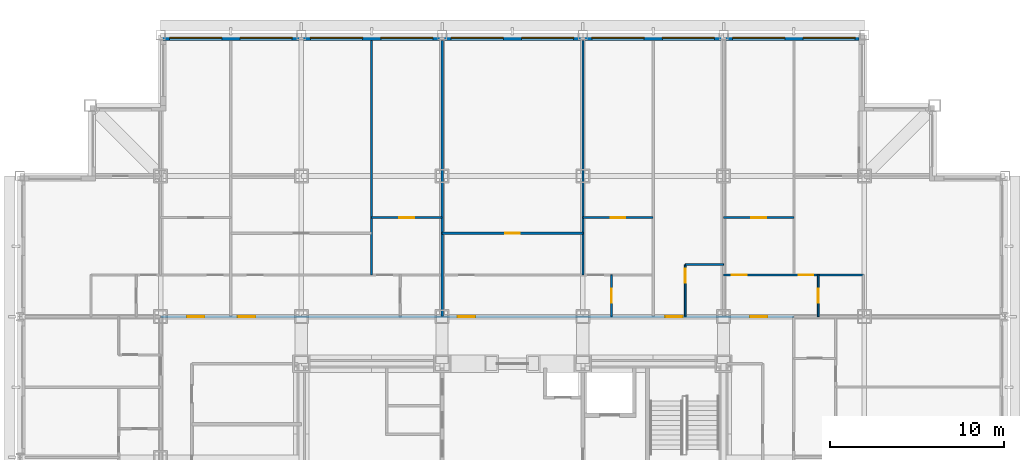
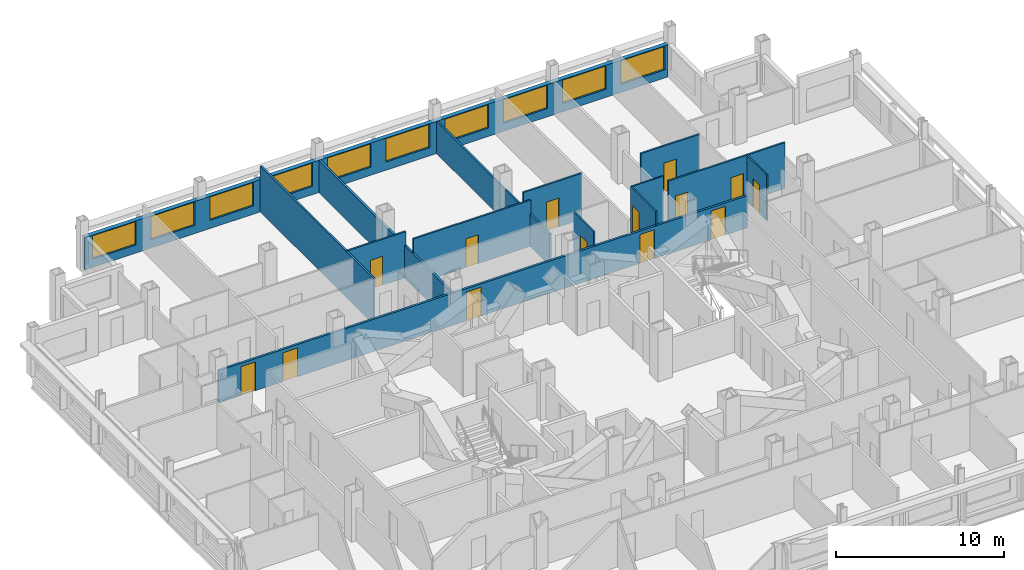
# One storey, part 10 of 12: 14 doors, 14 walls, 10 windows, 24 openings.
"""IFC4 building model written with IfcOpenShell, lengths in metres."""

from ifc_helpers import new_model, si_unit, direction, frame, frame_2d, origin, place, context, subcontext, project, spatial, rectangle, extrude, material, layer, layer_set, type_object, element, fill, save


model = new_model("IFC4")

# Units and contexts
model_context = context("Model", 3, precision=1e-05, world=origin(), true_north=direction((0.0, 1.0)))
body_context = subcontext(model_context, "Body", "Model", "MODEL_VIEW")
ifc_project = project(units=[si_unit("LENGTHUNIT", "METRE"), si_unit("AREAUNIT", "SQUARE_METRE"), si_unit("VOLUMEUNIT", "CUBIC_METRE"), si_unit("PLANEANGLEUNIT", "RADIAN"), si_unit("MASSUNIT", "GRAM", prefix="KILO")], contexts=[model_context])

# Site, building, storey
site_placement = place(None, origin())
site = spatial("IfcSite", under=ifc_project, at=site_placement, CompositionType="ELEMENT")
building_placement = place(site_placement, origin())
building = spatial("IfcBuilding", under=site, at=building_placement, Name="Kopane Lantern Tower", CompositionType="ELEMENT")
storey_placement = place(building_placement, frame((0.0, 0.0, 231.60009765625)))
storey = spatial("IfcBuildingStorey", under=building, at=storey_placement, Name="L60", CompositionType="ELEMENT", Elevation=231.60009765625)

# Walls
ifc_material_1 = material(Name="Gypsum board on steel studs", Category="steel")
ifc_layer_1 = layer(ifc_material_1, 0.1201171875)
ifc_layer_set_1 = layer_set([ifc_layer_1], Name="APARTMENT INTERNAL WALL 120")
wall_type_1 = type_object("IfcWallType", Name="APARTMENT INTERNAL WALL 120", PredefinedType="PARTITIONING", material=ifc_layer_set_1)
wall_1_placement = place(storey_placement, frame((20.25, 45.60009765625, 0.0), z_axis=(0.0, 0.0, 1.0), x_axis=(0.0, 1.0, 0.0)))
element("IfcWall", 1, at=wall_1_placement, inside=storey, type_object=wall_type_1, Name="Apartment Internal Wall 120 L60", PredefinedType="PARTITIONING", context=body_context, shape_type="SweptSolid", body=[
    extrude(rectangle(XDim=13.5, YDim=0.1201171875, at=frame_2d((6.75, 0.0))), origin(), (0.0, 0.0, 1.0), 3.349853515625),
])
wall_2_placement = place(storey_placement, frame((32.39990234375, 45.60009765625, 0.0), z_axis=(0.0, 0.0, 1.0), x_axis=(0.0, 1.0, 0.0)))
element("IfcWall", 2, at=wall_2_placement, inside=storey, type_object=wall_type_1, Name="Apartment Internal Wall 120 L60", PredefinedType="PARTITIONING", context=body_context, shape_type="SweptSolid", body=[
    extrude(rectangle(XDim=13.5, YDim=0.1201171875, at=frame_2d((6.75, 0.0))), origin(), (0.0, 0.0, 1.0), 2.349853515625),
])

# Wall, openings, doors
wall_3_placement = place(storey_placement, frame((40.5, 45.60009765625, 0.0), z_axis=(0.0, 0.0, 1.0), x_axis=(1.0, 0.0, 0.0)))
wall_3 = element("IfcWall", 3, at=wall_3_placement, inside=storey, type_object=wall_type_1, Name="Apartment Internal Wall 120 L60", PredefinedType="PARTITIONING", context=body_context, shape_type="SweptSolid", body=[
    extrude(rectangle(XDim=8.050048828125, YDim=0.1201171875, at=frame_2d((4.02490234375, 0.0))), origin(), (0.0, 0.0, 1.0), 3.349853515625),
])
opening_1_placement = place(wall_3_placement, frame((0.47509765625, 0.0, 0.0)))
opening_1 = element("IfcOpeningElement", 4, at=opening_1_placement, cuts=wall_3, Name="Opening L60-059", PredefinedType="OPENING", context=body_context, shape_type="SweptSolid", body=[
    extrude(rectangle(XDim=0.85009765625, YDim=2.10009765625, at=frame_2d((0.425048828125, 1.050048828125))), frame((0.0, 0.070068359375, 0.0), z_axis=(0.0, -1.0, 0.0), x_axis=(1.0, 0.0, 0.0)), (0.0, 0.0, 1.0), 0.14013671875),
])
opening_2_placement = place(wall_3_placement, frame((4.324951171875, 0.0, 0.0)))
opening_2 = element("IfcOpeningElement", 5, at=opening_2_placement, cuts=wall_3, Name="Opening L60-061", PredefinedType="OPENING", context=body_context, shape_type="SweptSolid", body=[
    extrude(rectangle(XDim=0.85009765625, YDim=2.10009765625, at=frame_2d((0.425048828125, 1.050048828125))), frame((0.0, 0.070068359375, 0.0), z_axis=(0.0, -1.0, 0.0), x_axis=(1.0, 0.0, 0.0)), (0.0, 0.0, 1.0), 0.14013671875),
])
ifc_material_2 = material(Name="Timber door set", Category="wood")
door_type_1 = type_object("IfcDoorType", Name="DOOR D4 850x2100", OperationType="SINGLE_SWING_LEFT", PredefinedType="DOOR", material=ifc_material_2)
door_1_placement = place(opening_1_placement, origin())
door_1 = element("IfcDoor", 6, at=door_1_placement, inside=storey, type_object=door_type_1, Name="Door L60-059", OperationType="SINGLE_SWING_RIGHT", OverallHeight=2.10009765625, OverallWidth=0.85009765625, PredefinedType="DOOR", context=body_context, shape_type="SweptSolid", body=[
    extrude(rectangle(XDim=0.85009765625, YDim=2.10009765625, at=frame_2d((0.425048828125, 1.050048828125))), frame((0.0, 0.02490234375, 0.0), z_axis=(0.0, -1.0, 0.0), x_axis=(1.0, 0.0, 0.0)), (0.0, 0.0, 1.0), 0.050048828125),
])
fill(opening_1, door_1)
door_2_placement = place(opening_2_placement, origin())
door_2 = element("IfcDoor", 7, at=door_2_placement, inside=storey, type_object=door_type_1, Name="Door L60-061", OperationType="SINGLE_SWING_LEFT", OverallHeight=2.10009765625, OverallWidth=0.85009765625, PredefinedType="DOOR", context=body_context, shape_type="SweptSolid", body=[
    extrude(rectangle(XDim=0.85009765625, YDim=2.10009765625, at=frame_2d((0.425048828125, 1.050048828125))), frame((0.0, 0.02490234375, 0.0), z_axis=(0.0, -1.0, 0.0), x_axis=(1.0, 0.0, 0.0)), (0.0, 0.0, 1.0), 0.050048828125),
])
fill(opening_2, door_2)

# Wall, opening, door
wall_4_placement = place(storey_placement, frame((20.25, 48.89990234375, 0.0), z_axis=(0.0, 0.0, 1.0), x_axis=(1.0, 0.0, 0.0)))
wall_4 = element("IfcWall", 8, at=wall_4_placement, inside=storey, type_object=wall_type_1, Name="Apartment Internal Wall 120 L60", PredefinedType="PARTITIONING", context=body_context, shape_type="SweptSolid", body=[
    extrude(rectangle(XDim=4.050048828125, YDim=0.1201171875, at=frame_2d((2.02490234375, 0.0))), origin(), (0.0, 0.0, 1.0), 3.349853515625),
])
opening_3_placement = place(wall_4_placement, frame((1.60009765625, 0.0, 0.0)))
opening_3 = element("IfcOpeningElement", 9, at=opening_3_placement, cuts=wall_4, Name="Opening L60-072", PredefinedType="OPENING", context=body_context, shape_type="SweptSolid", body=[
    extrude(rectangle(XDim=0.85009765625, YDim=2.10009765625, at=frame_2d((0.425048828125, 1.050048828125))), frame((0.0, 0.070068359375, 0.0), z_axis=(0.0, -1.0, 0.0), x_axis=(1.0, 0.0, 0.0)), (0.0, 0.0, 1.0), 0.14013671875),
])
door_3_placement = place(opening_3_placement, origin())
door_3 = element("IfcDoor", 10, at=door_3_placement, inside=storey, type_object=door_type_1, Name="Door L60-072", OperationType="SINGLE_SWING_RIGHT", OverallHeight=2.10009765625, OverallWidth=0.85009765625, PredefinedType="DOOR", context=body_context, shape_type="SweptSolid", body=[
    extrude(rectangle(XDim=0.85009765625, YDim=2.10009765625, at=frame_2d((0.425048828125, 1.050048828125))), frame((0.0, 0.02490234375, 0.0), z_axis=(0.0, -1.0, 0.0), x_axis=(1.0, 0.0, 0.0)), (0.0, 0.0, 1.0), 0.050048828125),
])
fill(opening_3, door_3)

wall_5_placement = place(storey_placement, frame((24.300048828125, 48.0, 0.0), z_axis=(0.0, 0.0, 1.0), x_axis=(1.0, 0.0, 0.0)))
wall_5 = element("IfcWall", 11, at=wall_5_placement, inside=storey, type_object=wall_type_1, Name="Apartment Internal Wall 120 L60", PredefinedType="PARTITIONING", context=body_context, shape_type="SweptSolid", body=[
    extrude(rectangle(XDim=8.099853515625, YDim=0.1201171875, at=frame_2d((4.0498046875, 0.0))), origin(), (0.0, 0.0, 1.0), 3.349853515625),
])
opening_4_placement = place(wall_5_placement, frame((3.625, 0.0, 0.0)))
opening_4 = element("IfcOpeningElement", 12, at=opening_4_placement, cuts=wall_5, Name="Opening L60-073", PredefinedType="OPENING", context=body_context, shape_type="SweptSolid", body=[
    extrude(rectangle(XDim=0.85009765625, YDim=2.10009765625, at=frame_2d((0.425048828125, 1.050048828125))), frame((0.0, 0.070068359375, 0.0), z_axis=(0.0, -1.0, 0.0), x_axis=(1.0, 0.0, 0.0)), (0.0, 0.0, 1.0), 0.14013671875),
])
door_4_placement = place(opening_4_placement, origin())
door_4 = element("IfcDoor", 13, at=door_4_placement, inside=storey, type_object=door_type_1, Name="Door L60-073", OperationType="SINGLE_SWING_RIGHT", OverallHeight=2.10009765625, OverallWidth=0.85009765625, PredefinedType="DOOR", context=body_context, shape_type="SweptSolid", body=[
    extrude(rectangle(XDim=0.85009765625, YDim=2.10009765625, at=frame_2d((0.425048828125, 1.050048828125))), frame((0.0, 0.02490234375, 0.0), z_axis=(0.0, -1.0, 0.0), x_axis=(1.0, 0.0, 0.0)), (0.0, 0.0, 1.0), 0.050048828125),
])
fill(opening_4, door_4)

wall_6_placement = place(storey_placement, frame((32.39990234375, 48.89990234375, 0.0), z_axis=(0.0, 0.0, 1.0), x_axis=(1.0, 0.0, 0.0)))
wall_6 = element("IfcWall", 14, at=wall_6_placement, inside=storey, type_object=wall_type_1, Name="Apartment Internal Wall 120 L60", PredefinedType="PARTITIONING", context=body_context, shape_type="SweptSolid", body=[
    extrude(rectangle(XDim=4.050048828125, YDim=0.1201171875, at=frame_2d((2.02490234375, 0.0))), origin(), (0.0, 0.0, 1.0), 3.349853515625),
])
opening_5_placement = place(wall_6_placement, frame((1.60009765625, 0.0, 0.0)))
opening_5 = element("IfcOpeningElement", 15, at=opening_5_placement, cuts=wall_6, Name="Opening L60-074", PredefinedType="OPENING", context=body_context, shape_type="SweptSolid", body=[
    extrude(rectangle(XDim=0.85009765625, YDim=2.10009765625, at=frame_2d((0.425048828125, 1.050048828125))), frame((0.0, 0.070068359375, 0.0), z_axis=(0.0, -1.0, 0.0), x_axis=(1.0, 0.0, 0.0)), (0.0, 0.0, 1.0), 0.14013671875),
])
door_5_placement = place(opening_5_placement, origin())
door_5 = element("IfcDoor", 16, at=door_5_placement, inside=storey, type_object=door_type_1, Name="Door L60-074", OperationType="SINGLE_SWING_RIGHT", OverallHeight=2.10009765625, OverallWidth=0.85009765625, PredefinedType="DOOR", context=body_context, shape_type="SweptSolid", body=[
    extrude(rectangle(XDim=0.85009765625, YDim=2.10009765625, at=frame_2d((0.425048828125, 1.050048828125))), frame((0.0, 0.02490234375, 0.0), z_axis=(0.0, -1.0, 0.0), x_axis=(1.0, 0.0, 0.0)), (0.0, 0.0, 1.0), 0.050048828125),
])
fill(opening_5, door_5)

wall_7_placement = place(storey_placement, frame((40.5, 48.89990234375, 0.0), z_axis=(0.0, 0.0, 1.0), x_axis=(1.0, 0.0, 0.0)))
wall_7 = element("IfcWall", 17, at=wall_7_placement, inside=storey, type_object=wall_type_1, Name="Apartment Internal Wall 120 L60", PredefinedType="PARTITIONING", context=body_context, shape_type="SweptSolid", body=[
    extrude(rectangle(XDim=4.050048828125, YDim=0.1201171875, at=frame_2d((2.02490234375, 0.0))), origin(), (0.0, 0.0, 1.0), 3.349853515625),
])
opening_6_placement = place(wall_7_placement, frame((1.60009765625, 0.0, 0.0)))
opening_6 = element("IfcOpeningElement", 18, at=opening_6_placement, cuts=wall_7, Name="Opening L60-075", PredefinedType="OPENING", context=body_context, shape_type="SweptSolid", body=[
    extrude(rectangle(XDim=0.85009765625, YDim=2.10009765625, at=frame_2d((0.425048828125, 1.050048828125))), frame((0.0, 0.070068359375, 0.0), z_axis=(0.0, -1.0, 0.0), x_axis=(1.0, 0.0, 0.0)), (0.0, 0.0, 1.0), 0.14013671875),
])
door_6_placement = place(opening_6_placement, origin())
door_6 = element("IfcDoor", 19, at=door_6_placement, inside=storey, type_object=door_type_1, Name="Door L60-075", OperationType="SINGLE_SWING_RIGHT", OverallHeight=2.10009765625, OverallWidth=0.85009765625, PredefinedType="DOOR", context=body_context, shape_type="SweptSolid", body=[
    extrude(rectangle(XDim=0.85009765625, YDim=2.10009765625, at=frame_2d((0.425048828125, 1.050048828125))), frame((0.0, 0.02490234375, 0.0), z_axis=(0.0, -1.0, 0.0), x_axis=(1.0, 0.0, 0.0)), (0.0, 0.0, 1.0), 0.050048828125),
])
fill(opening_6, door_6)

ifc_material_3 = material(Name="Moisture-resistant board on steel studs", Category="steel")
ifc_layer_2 = layer(ifc_material_3, 0.10009765625)
ifc_layer_set_2 = layer_set([ifc_layer_2], Name="BATHROOM WALL 100")
wall_type_2 = type_object("IfcWallType", Name="BATHROOM WALL 100", PredefinedType="PARTITIONING", material=ifc_layer_set_2)
wall_8_placement = place(storey_placement, frame((34.050048828125, 43.199951171875, 0.0), z_axis=(0.0, 0.0, 1.0), x_axis=(0.0, 1.0, 0.0)))
wall_8 = element("IfcWall", 20, at=wall_8_placement, inside=storey, type_object=wall_type_2, Name="Bathroom Wall 100 L60", PredefinedType="PARTITIONING", context=body_context, shape_type="SweptSolid", body=[
    extrude(rectangle(XDim=2.400146484375, YDim=0.10009765625, at=frame_2d((1.2001953125, 0.0))), origin(), (0.0, 0.0, 1.0), 3.349853515625),
])
opening_7_placement = place(wall_8_placement, frame((0.800048828125, 0.0, 0.0)))
opening_7 = element("IfcOpeningElement", 21, at=opening_7_placement, cuts=wall_8, Name="Opening L60-026", PredefinedType="OPENING", context=body_context, shape_type="SweptSolid", body=[
    extrude(rectangle(XDim=0.800048828125, YDim=2.10009765625, at=frame_2d((0.39990234375, 1.050048828125))), frame((0.0, 0.06005859375, 0.0), z_axis=(0.0, -1.0, 0.0), x_axis=(1.0, 0.0, 0.0)), (0.0, 0.0, 1.0), 0.1201171875),
])
ifc_material_4 = material(Name="Timber door set", Category="wood")
door_type_2 = type_object("IfcDoorType", Name="DOOR D2 800x2100", OperationType="SINGLE_SWING_LEFT", PredefinedType="DOOR", material=ifc_material_4)
door_7_placement = place(opening_7_placement, origin())
door_7 = element("IfcDoor", 22, at=door_7_placement, inside=storey, type_object=door_type_2, Name="Door L60-026", OperationType="SINGLE_SWING_RIGHT", OverallHeight=2.10009765625, OverallWidth=0.800048828125, PredefinedType="DOOR", context=body_context, shape_type="SweptSolid", body=[
    extrude(rectangle(XDim=0.800048828125, YDim=2.10009765625, at=frame_2d((0.39990234375, 1.050048828125))), frame((0.0, 0.02490234375, 0.0), z_axis=(0.0, -1.0, 0.0), x_axis=(1.0, 0.0, 0.0)), (0.0, 0.0, 1.0), 0.050048828125),
])
fill(opening_7, door_7)

# Wall
wall_9_placement = place(storey_placement, frame((38.300048828125, 46.199951171875, 0.0), z_axis=(0.0, 0.0, 1.0), x_axis=(1.0, 0.0, 0.0)))
element("IfcWall", 23, at=wall_9_placement, inside=storey, type_object=wall_type_2, Name="Bathroom Wall 100 L60", PredefinedType="PARTITIONING", context=body_context, shape_type="SweptSolid", body=[
    extrude(rectangle(XDim=2.199951171875, YDim=0.10009765625, at=frame_2d((1.10009765625, 0.0))), origin(), (0.0, 0.0, 1.0), 3.349853515625),
])

# Wall, opening, door
wall_10_placement = place(storey_placement, frame((38.300048828125, 43.199951171875, 0.0), z_axis=(0.0, 0.0, 1.0), x_axis=(0.0, 1.0, 0.0)))
wall_10 = element("IfcWall", 24, at=wall_10_placement, inside=storey, type_object=wall_type_2, Name="Bathroom Wall 100 L60", PredefinedType="PARTITIONING", context=body_context, shape_type="SweptSolid", body=[
    extrude(rectangle(XDim=3.0, YDim=0.10009765625, at=frame_2d((1.5, 0.0))), origin(), (0.0, 0.0, 1.0), 3.349853515625),
])
opening_8_placement = place(wall_10_placement, frame((1.949951171875, 0.0, 0.0)))
opening_8 = element("IfcOpeningElement", 25, at=opening_8_placement, cuts=wall_10, Name="Opening L60-030", PredefinedType="OPENING", context=body_context, shape_type="SweptSolid", body=[
    extrude(rectangle(XDim=0.800048828125, YDim=2.10009765625, at=frame_2d((0.39990234375, 1.050048828125))), frame((0.0, 0.06005859375, 0.0), z_axis=(0.0, -1.0, 0.0), x_axis=(1.0, 0.0, 0.0)), (0.0, 0.0, 1.0), 0.1201171875),
])
door_8_placement = place(opening_8_placement, origin())
door_8 = element("IfcDoor", 26, at=door_8_placement, inside=storey, type_object=door_type_2, Name="Door L60-030", OperationType="SINGLE_SWING_LEFT", OverallHeight=2.10009765625, OverallWidth=0.800048828125, PredefinedType="DOOR", context=body_context, shape_type="SweptSolid", body=[
    extrude(rectangle(XDim=0.800048828125, YDim=2.10009765625, at=frame_2d((0.39990234375, 1.050048828125))), frame((0.0, 0.02490234375, 0.0), z_axis=(0.0, -1.0, 0.0), x_axis=(1.0, 0.0, 0.0)), (0.0, 0.0, 1.0), 0.050048828125),
])
fill(opening_8, door_8)

wall_11_placement = place(storey_placement, frame((45.949951171875, 43.199951171875, 0.0), z_axis=(0.0, 0.0, 1.0), x_axis=(0.0, 1.0, 0.0)))
wall_11 = element("IfcWall", 27, at=wall_11_placement, inside=storey, type_object=wall_type_2, Name="Bathroom Wall 100 L60", PredefinedType="PARTITIONING", context=body_context, shape_type="SweptSolid", body=[
    extrude(rectangle(XDim=2.400146484375, YDim=0.10009765625, at=frame_2d((1.2001953125, 0.0))), origin(), (0.0, 0.0, 1.0), 3.349853515625),
])
opening_9_placement = place(wall_11_placement, frame((0.800048828125, 0.0, 0.0)))
opening_9 = element("IfcOpeningElement", 28, at=opening_9_placement, cuts=wall_11, Name="Opening L60-060", PredefinedType="OPENING", context=body_context, shape_type="SweptSolid", body=[
    extrude(rectangle(XDim=0.800048828125, YDim=2.10009765625, at=frame_2d((0.39990234375, 1.050048828125))), frame((0.0, 0.06005859375, 0.0), z_axis=(0.0, -1.0, 0.0), x_axis=(1.0, 0.0, 0.0)), (0.0, 0.0, 1.0), 0.1201171875),
])
door_9_placement = place(opening_9_placement, origin())
door_9 = element("IfcDoor", 29, at=door_9_placement, inside=storey, type_object=door_type_2, Name="Door L60-060", OperationType="SINGLE_SWING_RIGHT", OverallHeight=2.10009765625, OverallWidth=0.800048828125, PredefinedType="DOOR", context=body_context, shape_type="SweptSolid", body=[
    extrude(rectangle(XDim=0.800048828125, YDim=2.10009765625, at=frame_2d((0.39990234375, 1.050048828125))), frame((0.0, 0.02490234375, 0.0), z_axis=(0.0, -1.0, 0.0), x_axis=(1.0, 0.0, 0.0)), (0.0, 0.0, 1.0), 0.050048828125),
])
fill(opening_9, door_9)

# Wall, openings, doors
ifc_material_5 = material(Name="Gypsum board on steel studs", Category="steel")
ifc_layer_3 = layer(ifc_material_5, 0.14990234375)
ifc_layer_set_3 = layer_set([ifc_layer_3], Name="CORRIDOR WALL 150 EI 60")
wall_type_3 = type_object("IfcWallType", Name="CORRIDOR WALL 150 EI 60", PredefinedType="PARTITIONING", material=ifc_layer_set_3)
wall_12_placement = place(storey_placement, frame((8.10009765625, 43.199951171875, 0.0), z_axis=(0.0, 0.0, 1.0), x_axis=(1.0, 0.0, 0.0)))
wall_12 = element("IfcWall", 30, at=wall_12_placement, inside=storey, type_object=wall_type_3, Name="Corridor Wall 150 Ei 60 L60", PredefinedType="PARTITIONING", context=body_context, shape_type="SweptSolid", body=[
    extrude(rectangle(XDim=36.449951171875, YDim=0.14990234375, at=frame_2d((18.22509765625, 0.0))), origin(), (0.0, 0.0, 1.0), 2.349853515625),
])
opening_10_placement = place(wall_12_placement, frame((4.449951171875, 0.0, 0.0)))
opening_10 = element("IfcOpeningElement", 31, at=opening_10_placement, cuts=wall_12, Name="Opening L60-023", PredefinedType="OPENING", context=body_context, shape_type="SweptSolid", body=[
    extrude(rectangle(XDim=1.0, YDim=2.10009765625, at=frame_2d((0.5, 1.050048828125))), frame((0.0, 0.0849609375, 0.0), z_axis=(0.0, -1.0, 0.0), x_axis=(1.0, 0.0, 0.0)), (0.0, 0.0, 1.0), 0.169921875),
])
opening_11_placement = place(wall_12_placement, frame((17.10009765625, 0.0, 0.0)))
opening_11 = element("IfcOpeningElement", 32, at=opening_11_placement, cuts=wall_12, Name="Opening L60-027", PredefinedType="OPENING", context=body_context, shape_type="SweptSolid", body=[
    extrude(rectangle(XDim=1.0, YDim=2.10009765625, at=frame_2d((0.5, 1.050048828125))), frame((0.0, 0.0849609375, 0.0), z_axis=(0.0, -1.0, 0.0), x_axis=(1.0, 0.0, 0.0)), (0.0, 0.0, 1.0), 0.169921875),
])
opening_12_placement = place(wall_12_placement, frame((29.050048828125, 0.0, 0.0)))
opening_12 = element("IfcOpeningElement", 33, at=opening_12_placement, cuts=wall_12, Name="Opening L60-031", PredefinedType="OPENING", context=body_context, shape_type="SweptSolid", body=[
    extrude(rectangle(XDim=1.0, YDim=2.10009765625, at=frame_2d((0.5, 1.050048828125))), frame((0.0, 0.0849609375, 0.0), z_axis=(0.0, -1.0, 0.0), x_axis=(1.0, 0.0, 0.0)), (0.0, 0.0, 1.0), 0.169921875),
])
opening_13_placement = place(wall_12_placement, frame((33.925048828125, 0.0, 0.0)))
opening_13 = element("IfcOpeningElement", 34, at=opening_13_placement, cuts=wall_12, Name="Opening L60-058", PredefinedType="OPENING", context=body_context, shape_type="SweptSolid", body=[
    extrude(rectangle(XDim=1.0, YDim=2.10009765625, at=frame_2d((0.5, 1.050048828125))), frame((0.0, 0.0849609375, 0.0), z_axis=(0.0, -1.0, 0.0), x_axis=(1.0, 0.0, 0.0)), (0.0, 0.0, 1.0), 0.169921875),
])
opening_14_placement = place(wall_12_placement, frame((1.52490234375, 0.0, 0.0)))
opening_14 = element("IfcOpeningElement", 35, at=opening_14_placement, cuts=wall_12, Name="Opening L60-063", PredefinedType="OPENING", context=body_context, shape_type="SweptSolid", body=[
    extrude(rectangle(XDim=1.0, YDim=2.10009765625, at=frame_2d((0.5, 1.050048828125))), frame((0.0, 0.0849609375, 0.0), z_axis=(0.0, -1.0, 0.0), x_axis=(1.0, 0.0, 0.0)), (0.0, 0.0, 1.0), 0.169921875),
])
ifc_material_6 = material(Name="Steel door set", Category="steel")
door_type_3 = type_object("IfcDoorType", Name="DOOR D3 1000x2100 FD30S", OperationType="SINGLE_SWING_LEFT", PredefinedType="DOOR", material=ifc_material_6)
door_10_placement = place(opening_10_placement, origin())
door_10 = element("IfcDoor", 36, at=door_10_placement, inside=storey, type_object=door_type_3, Name="Door L60-023", OperationType="SINGLE_SWING_LEFT", OverallHeight=2.10009765625, OverallWidth=1.0, PredefinedType="DOOR", context=body_context, shape_type="SweptSolid", body=[
    extrude(rectangle(XDim=1.0, YDim=2.10009765625, at=frame_2d((0.5, 1.050048828125))), frame((0.0, 0.02490234375, 0.0), z_axis=(0.0, -1.0, 0.0), x_axis=(1.0, 0.0, 0.0)), (0.0, 0.0, 1.0), 0.050048828125),
])
fill(opening_10, door_10)
door_11_placement = place(opening_11_placement, origin())
door_11 = element("IfcDoor", 37, at=door_11_placement, inside=storey, type_object=door_type_3, Name="Door L60-027", OperationType="SINGLE_SWING_LEFT", OverallHeight=2.10009765625, OverallWidth=1.0, PredefinedType="DOOR", context=body_context, shape_type="SweptSolid", body=[
    extrude(rectangle(XDim=1.0, YDim=2.10009765625, at=frame_2d((0.5, 1.050048828125))), frame((0.0, 0.02490234375, 0.0), z_axis=(0.0, -1.0, 0.0), x_axis=(1.0, 0.0, 0.0)), (0.0, 0.0, 1.0), 0.050048828125),
])
fill(opening_11, door_11)
door_12_placement = place(opening_12_placement, origin())
door_12 = element("IfcDoor", 38, at=door_12_placement, inside=storey, type_object=door_type_3, Name="Door L60-031", OperationType="SINGLE_SWING_RIGHT", OverallHeight=2.10009765625, OverallWidth=1.0, PredefinedType="DOOR", context=body_context, shape_type="SweptSolid", body=[
    extrude(rectangle(XDim=1.0, YDim=2.10009765625, at=frame_2d((0.5, 1.050048828125))), frame((0.0, 0.02490234375, 0.0), z_axis=(0.0, -1.0, 0.0), x_axis=(1.0, 0.0, 0.0)), (0.0, 0.0, 1.0), 0.050048828125),
])
fill(opening_12, door_12)
door_13_placement = place(opening_13_placement, origin())
door_13 = element("IfcDoor", 39, at=door_13_placement, inside=storey, type_object=door_type_3, Name="Door L60-058", OperationType="SINGLE_SWING_LEFT", OverallHeight=2.10009765625, OverallWidth=1.0, PredefinedType="DOOR", context=body_context, shape_type="SweptSolid", body=[
    extrude(rectangle(XDim=1.0, YDim=2.10009765625, at=frame_2d((0.5, 1.050048828125))), frame((0.0, 0.02490234375, 0.0), z_axis=(0.0, -1.0, 0.0), x_axis=(1.0, 0.0, 0.0)), (0.0, 0.0, 1.0), 0.050048828125),
])
fill(opening_13, door_13)
door_14_placement = place(opening_14_placement, origin())
door_14 = element("IfcDoor", 40, at=door_14_placement, inside=storey, type_object=door_type_3, Name="Door L60-063", OperationType="SINGLE_SWING_RIGHT", OverallHeight=2.10009765625, OverallWidth=1.0, PredefinedType="DOOR", context=body_context, shape_type="SweptSolid", body=[
    extrude(rectangle(XDim=1.0, YDim=2.10009765625, at=frame_2d((0.5, 1.050048828125))), frame((0.0, 0.02490234375, 0.0), z_axis=(0.0, -1.0, 0.0), x_axis=(1.0, 0.0, 0.0)), (0.0, 0.0, 1.0), 0.050048828125),
])
fill(opening_14, door_14)

# Wall
ifc_material_7 = material(Name="Gypsum board on steel studs", Category="steel")
ifc_layer_4 = layer(ifc_material_7, 0.14990234375)
ifc_layer_set_4 = layer_set([ifc_layer_4], Name="DEMISING WALL 150 EI 60")
wall_type_4 = type_object("IfcWallType", Name="DEMISING WALL 150 EI 60", PredefinedType="PARTITIONING", material=ifc_layer_set_4)
wall_13_placement = place(storey_placement, frame((24.300048828125, 43.199951171875, 0.0), z_axis=(0.0, 0.0, 1.0), x_axis=(0.0, 1.0, 0.0)))
element("IfcWall", 41, at=wall_13_placement, inside=storey, type_object=wall_type_4, Name="Demising Wall 150 Ei 60 L60", PredefinedType="PARTITIONING", context=body_context, shape_type="SweptSolid", body=[
    extrude(rectangle(XDim=15.900146484375, YDim=0.14990234375, at=frame_2d((7.9501953125, 0.0))), origin(), (0.0, 0.0, 1.0), 2.349853515625),
])

# Wall, openings, windows
ifc_material_8 = material(Name="Terracotta rainscreen on light steel framing", Category="masonry")
ifc_layer_5 = layer(ifc_material_8, 0.300048828125)
ifc_layer_set_5 = layer_set([ifc_layer_5], Name="EXTERNAL WALL EW1 300 TERRACOTTA")
wall_type_5 = type_object("IfcWallType", Name="EXTERNAL WALL EW1 300 TERRACOTTA", PredefinedType="SOLIDWALL", material=ifc_layer_set_5)
wall_14_placement = place(storey_placement, frame((48.300048828125, 59.25, 0.0), z_axis=(0.0, 0.0, 1.0), x_axis=(-1.0, 0.0, 0.0)))
wall_14 = element("IfcWall", 42, at=wall_14_placement, inside=storey, type_object=wall_type_5, Name="External wall N L60", PredefinedType="SOLIDWALL", context=body_context, shape_type="SweptSolid", body=[
    extrude(rectangle(XDim=40.199951171875, YDim=0.300048828125, at=frame_2d((20.10009765625, 0.0))), origin(), (0.0, 0.0, 1.0), 2.349853515625),
])
opening_15_placement = place(wall_14_placement, frame((0.22509765625, 0.0, 0.60009765625)))
opening_15 = element("IfcOpeningElement", 43, at=opening_15_placement, cuts=wall_14, Name="Opening WR300170", PredefinedType="OPENING", context=body_context, shape_type="SweptSolid", body=[
    extrude(rectangle(XDim=3.0, YDim=1.699951171875, at=frame_2d((1.5, 0.85009765625))), frame((0.0, 0.159912109375, 0.0), z_axis=(0.0, -1.0, 0.0), x_axis=(1.0, 0.0, 0.0)), (0.0, 0.0, 1.0), 0.320068359375),
])
opening_16_placement = place(wall_14_placement, frame((4.27490234375, 0.0, 0.60009765625)))
opening_16 = element("IfcOpeningElement", 44, at=opening_16_placement, cuts=wall_14, Name="Opening WR300170", PredefinedType="OPENING", context=body_context, shape_type="SweptSolid", body=[
    extrude(rectangle(XDim=3.0, YDim=1.699951171875, at=frame_2d((1.5, 0.85009765625))), frame((0.0, 0.159912109375, 0.0), z_axis=(0.0, -1.0, 0.0), x_axis=(1.0, 0.0, 0.0)), (0.0, 0.0, 1.0), 0.320068359375),
])
opening_17_placement = place(wall_14_placement, frame((8.324951171875, 0.0, 0.60009765625)))
opening_17 = element("IfcOpeningElement", 45, at=opening_17_placement, cuts=wall_14, Name="Opening WR300170", PredefinedType="OPENING", context=body_context, shape_type="SweptSolid", body=[
    extrude(rectangle(XDim=3.0, YDim=1.699951171875, at=frame_2d((1.5, 0.85009765625))), frame((0.0, 0.159912109375, 0.0), z_axis=(0.0, -1.0, 0.0), x_axis=(1.0, 0.0, 0.0)), (0.0, 0.0, 1.0), 0.320068359375),
])
opening_18_placement = place(wall_14_placement, frame((12.375, 0.0, 0.60009765625)))
opening_18 = element("IfcOpeningElement", 46, at=opening_18_placement, cuts=wall_14, Name="Opening WR300170", PredefinedType="OPENING", context=body_context, shape_type="SweptSolid", body=[
    extrude(rectangle(XDim=3.0, YDim=1.699951171875, at=frame_2d((1.5, 0.85009765625))), frame((0.0, 0.159912109375, 0.0), z_axis=(0.0, -1.0, 0.0), x_axis=(1.0, 0.0, 0.0)), (0.0, 0.0, 1.0), 0.320068359375),
])
opening_19_placement = place(wall_14_placement, frame((16.425048828125, 0.0, 0.60009765625)))
opening_19 = element("IfcOpeningElement", 47, at=opening_19_placement, cuts=wall_14, Name="Opening WR300170", PredefinedType="OPENING", context=body_context, shape_type="SweptSolid", body=[
    extrude(rectangle(XDim=3.0, YDim=1.699951171875, at=frame_2d((1.5, 0.85009765625))), frame((0.0, 0.159912109375, 0.0), z_axis=(0.0, -1.0, 0.0), x_axis=(1.0, 0.0, 0.0)), (0.0, 0.0, 1.0), 0.320068359375),
])
opening_20_placement = place(wall_14_placement, frame((20.47509765625, 0.0, 0.60009765625)))
opening_20 = element("IfcOpeningElement", 48, at=opening_20_placement, cuts=wall_14, Name="Opening WR300170", PredefinedType="OPENING", context=body_context, shape_type="SweptSolid", body=[
    extrude(rectangle(XDim=3.0, YDim=1.699951171875, at=frame_2d((1.5, 0.85009765625))), frame((0.0, 0.159912109375, 0.0), z_axis=(0.0, -1.0, 0.0), x_axis=(1.0, 0.0, 0.0)), (0.0, 0.0, 1.0), 0.320068359375),
])
opening_21_placement = place(wall_14_placement, frame((24.52490234375, 0.0, 0.60009765625)))
opening_21 = element("IfcOpeningElement", 49, at=opening_21_placement, cuts=wall_14, Name="Opening WR300170", PredefinedType="OPENING", context=body_context, shape_type="SweptSolid", body=[
    extrude(rectangle(XDim=3.0, YDim=1.699951171875, at=frame_2d((1.5, 0.85009765625))), frame((0.0, 0.159912109375, 0.0), z_axis=(0.0, -1.0, 0.0), x_axis=(1.0, 0.0, 0.0)), (0.0, 0.0, 1.0), 0.320068359375),
])
opening_22_placement = place(wall_14_placement, frame((28.574951171875, 0.0, 0.60009765625)))
opening_22 = element("IfcOpeningElement", 50, at=opening_22_placement, cuts=wall_14, Name="Opening WR300170", PredefinedType="OPENING", context=body_context, shape_type="SweptSolid", body=[
    extrude(rectangle(XDim=3.0, YDim=1.699951171875, at=frame_2d((1.5, 0.85009765625))), frame((0.0, 0.159912109375, 0.0), z_axis=(0.0, -1.0, 0.0), x_axis=(1.0, 0.0, 0.0)), (0.0, 0.0, 1.0), 0.320068359375),
])
opening_23_placement = place(wall_14_placement, frame((32.625, 0.0, 0.60009765625)))
opening_23 = element("IfcOpeningElement", 51, at=opening_23_placement, cuts=wall_14, Name="Opening WR300170", PredefinedType="OPENING", context=body_context, shape_type="SweptSolid", body=[
    extrude(rectangle(XDim=3.0, YDim=1.699951171875, at=frame_2d((1.5, 0.85009765625))), frame((0.0, 0.159912109375, 0.0), z_axis=(0.0, -1.0, 0.0), x_axis=(1.0, 0.0, 0.0)), (0.0, 0.0, 1.0), 0.320068359375),
])
opening_24_placement = place(wall_14_placement, frame((36.675048828125, 0.0, 0.60009765625)))
opening_24 = element("IfcOpeningElement", 52, at=opening_24_placement, cuts=wall_14, Name="Opening WR300170", PredefinedType="OPENING", context=body_context, shape_type="SweptSolid", body=[
    extrude(rectangle(XDim=3.0, YDim=1.699951171875, at=frame_2d((1.5, 0.85009765625))), frame((0.0, 0.159912109375, 0.0), z_axis=(0.0, -1.0, 0.0), x_axis=(1.0, 0.0, 0.0)), (0.0, 0.0, 1.0), 0.320068359375),
])
ifc_material_9 = material(Name="Aluminium and clear glass", Category="aluminium")
window_type = type_object("IfcWindowType", Name="RIBBON WINDOW WR300170 3000x1700", PartitioningType="SINGLE_PANEL", PredefinedType="WINDOW", material=ifc_material_9)
window_1_placement = place(opening_15_placement, origin())
window_1 = element("IfcWindow", 53, at=window_1_placement, inside=storey, type_object=window_type, Name="Window N L60", OverallHeight=1.699951171875, OverallWidth=3.0, PartitioningType="SINGLE_PANEL", PredefinedType="WINDOW", context=body_context, shape_type="SweptSolid", body=[
    extrude(rectangle(XDim=3.0, YDim=1.699951171875, at=frame_2d((1.5, 0.85009765625))), frame((0.0, 0.030029296875, 0.0), z_axis=(0.0, -1.0, 0.0), x_axis=(1.0, 0.0, 0.0)), (0.0, 0.0, 1.0), 0.06005859375),
])
fill(opening_15, window_1)
window_2_placement = place(opening_16_placement, origin())
window_2 = element("IfcWindow", 54, at=window_2_placement, inside=storey, type_object=window_type, Name="Window N L60", OverallHeight=1.699951171875, OverallWidth=3.0, PartitioningType="SINGLE_PANEL", PredefinedType="WINDOW", context=body_context, shape_type="SweptSolid", body=[
    extrude(rectangle(XDim=3.0, YDim=1.699951171875, at=frame_2d((1.5, 0.85009765625))), frame((0.0, 0.030029296875, 0.0), z_axis=(0.0, -1.0, 0.0), x_axis=(1.0, 0.0, 0.0)), (0.0, 0.0, 1.0), 0.06005859375),
])
fill(opening_16, window_2)
window_3_placement = place(opening_17_placement, origin())
window_3 = element("IfcWindow", 55, at=window_3_placement, inside=storey, type_object=window_type, Name="Window N L60", OverallHeight=1.699951171875, OverallWidth=3.0, PartitioningType="SINGLE_PANEL", PredefinedType="WINDOW", context=body_context, shape_type="SweptSolid", body=[
    extrude(rectangle(XDim=3.0, YDim=1.699951171875, at=frame_2d((1.5, 0.85009765625))), frame((0.0, 0.030029296875, 0.0), z_axis=(0.0, -1.0, 0.0), x_axis=(1.0, 0.0, 0.0)), (0.0, 0.0, 1.0), 0.06005859375),
])
fill(opening_17, window_3)
window_4_placement = place(opening_18_placement, origin())
window_4 = element("IfcWindow", 56, at=window_4_placement, inside=storey, type_object=window_type, Name="Window N L60", OverallHeight=1.699951171875, OverallWidth=3.0, PartitioningType="SINGLE_PANEL", PredefinedType="WINDOW", context=body_context, shape_type="SweptSolid", body=[
    extrude(rectangle(XDim=3.0, YDim=1.699951171875, at=frame_2d((1.5, 0.85009765625))), frame((0.0, 0.030029296875, 0.0), z_axis=(0.0, -1.0, 0.0), x_axis=(1.0, 0.0, 0.0)), (0.0, 0.0, 1.0), 0.06005859375),
])
fill(opening_18, window_4)
window_5_placement = place(opening_19_placement, origin())
window_5 = element("IfcWindow", 57, at=window_5_placement, inside=storey, type_object=window_type, Name="Window N L60", OverallHeight=1.699951171875, OverallWidth=3.0, PartitioningType="SINGLE_PANEL", PredefinedType="WINDOW", context=body_context, shape_type="SweptSolid", body=[
    extrude(rectangle(XDim=3.0, YDim=1.699951171875, at=frame_2d((1.5, 0.85009765625))), frame((0.0, 0.030029296875, 0.0), z_axis=(0.0, -1.0, 0.0), x_axis=(1.0, 0.0, 0.0)), (0.0, 0.0, 1.0), 0.06005859375),
])
fill(opening_19, window_5)
window_6_placement = place(opening_20_placement, origin())
window_6 = element("IfcWindow", 58, at=window_6_placement, inside=storey, type_object=window_type, Name="Window N L60", OverallHeight=1.699951171875, OverallWidth=3.0, PartitioningType="SINGLE_PANEL", PredefinedType="WINDOW", context=body_context, shape_type="SweptSolid", body=[
    extrude(rectangle(XDim=3.0, YDim=1.699951171875, at=frame_2d((1.5, 0.85009765625))), frame((0.0, 0.030029296875, 0.0), z_axis=(0.0, -1.0, 0.0), x_axis=(1.0, 0.0, 0.0)), (0.0, 0.0, 1.0), 0.06005859375),
])
fill(opening_20, window_6)
window_7_placement = place(opening_21_placement, origin())
window_7 = element("IfcWindow", 59, at=window_7_placement, inside=storey, type_object=window_type, Name="Window N L60", OverallHeight=1.699951171875, OverallWidth=3.0, PartitioningType="SINGLE_PANEL", PredefinedType="WINDOW", context=body_context, shape_type="SweptSolid", body=[
    extrude(rectangle(XDim=3.0, YDim=1.699951171875, at=frame_2d((1.5, 0.85009765625))), frame((0.0, 0.030029296875, 0.0), z_axis=(0.0, -1.0, 0.0), x_axis=(1.0, 0.0, 0.0)), (0.0, 0.0, 1.0), 0.06005859375),
])
fill(opening_21, window_7)
window_8_placement = place(opening_22_placement, origin())
window_8 = element("IfcWindow", 60, at=window_8_placement, inside=storey, type_object=window_type, Name="Window N L60", OverallHeight=1.699951171875, OverallWidth=3.0, PartitioningType="SINGLE_PANEL", PredefinedType="WINDOW", context=body_context, shape_type="SweptSolid", body=[
    extrude(rectangle(XDim=3.0, YDim=1.699951171875, at=frame_2d((1.5, 0.85009765625))), frame((0.0, 0.030029296875, 0.0), z_axis=(0.0, -1.0, 0.0), x_axis=(1.0, 0.0, 0.0)), (0.0, 0.0, 1.0), 0.06005859375),
])
fill(opening_22, window_8)
window_9_placement = place(opening_23_placement, origin())
window_9 = element("IfcWindow", 61, at=window_9_placement, inside=storey, type_object=window_type, Name="Window N L60", OverallHeight=1.699951171875, OverallWidth=3.0, PartitioningType="SINGLE_PANEL", PredefinedType="WINDOW", context=body_context, shape_type="SweptSolid", body=[
    extrude(rectangle(XDim=3.0, YDim=1.699951171875, at=frame_2d((1.5, 0.85009765625))), frame((0.0, 0.030029296875, 0.0), z_axis=(0.0, -1.0, 0.0), x_axis=(1.0, 0.0, 0.0)), (0.0, 0.0, 1.0), 0.06005859375),
])
fill(opening_23, window_9)
window_10_placement = place(opening_24_placement, origin())
window_10 = element("IfcWindow", 62, at=window_10_placement, inside=storey, type_object=window_type, Name="Window N L60", OverallHeight=1.699951171875, OverallWidth=3.0, PartitioningType="SINGLE_PANEL", PredefinedType="WINDOW", context=body_context, shape_type="SweptSolid", body=[
    extrude(rectangle(XDim=3.0, YDim=1.699951171875, at=frame_2d((1.5, 0.85009765625))), frame((0.0, 0.030029296875, 0.0), z_axis=(0.0, -1.0, 0.0), x_axis=(1.0, 0.0, 0.0)), (0.0, 0.0, 1.0), 0.06005859375),
])
fill(opening_24, window_10)

save(model, "model.ifc")
